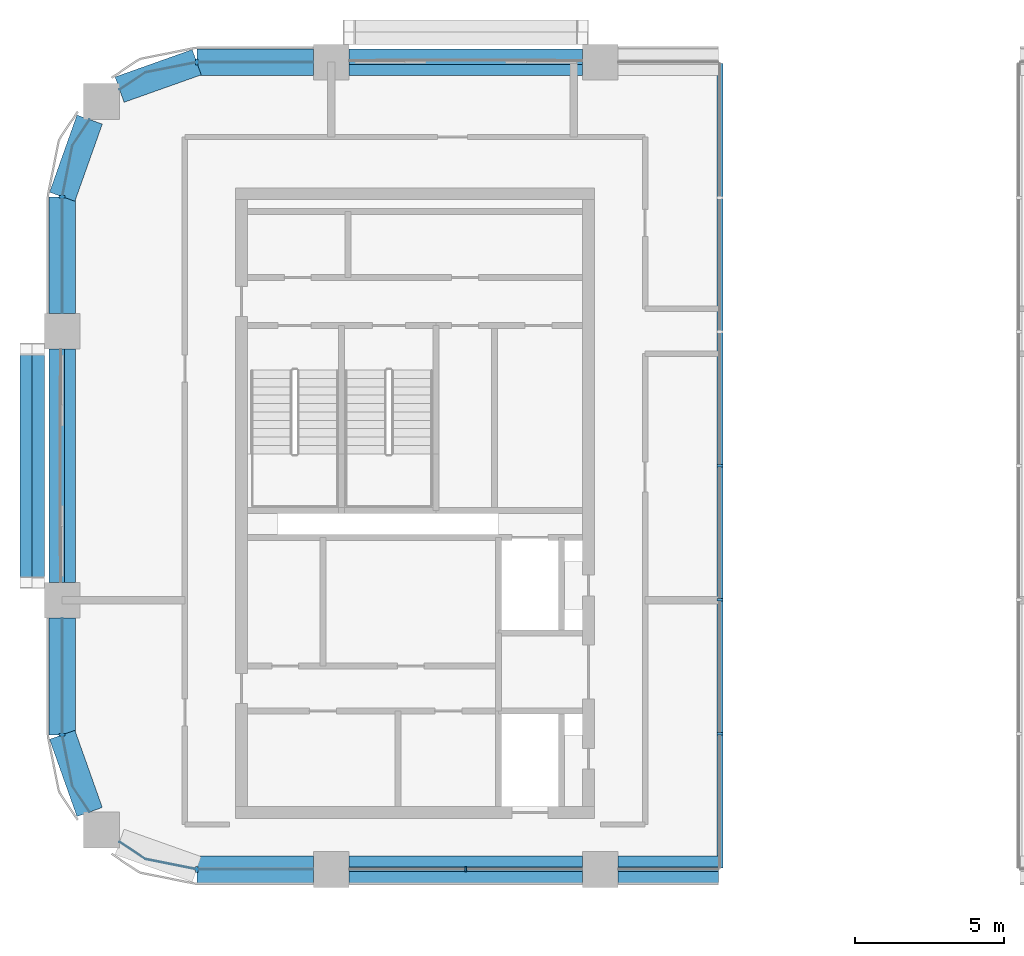
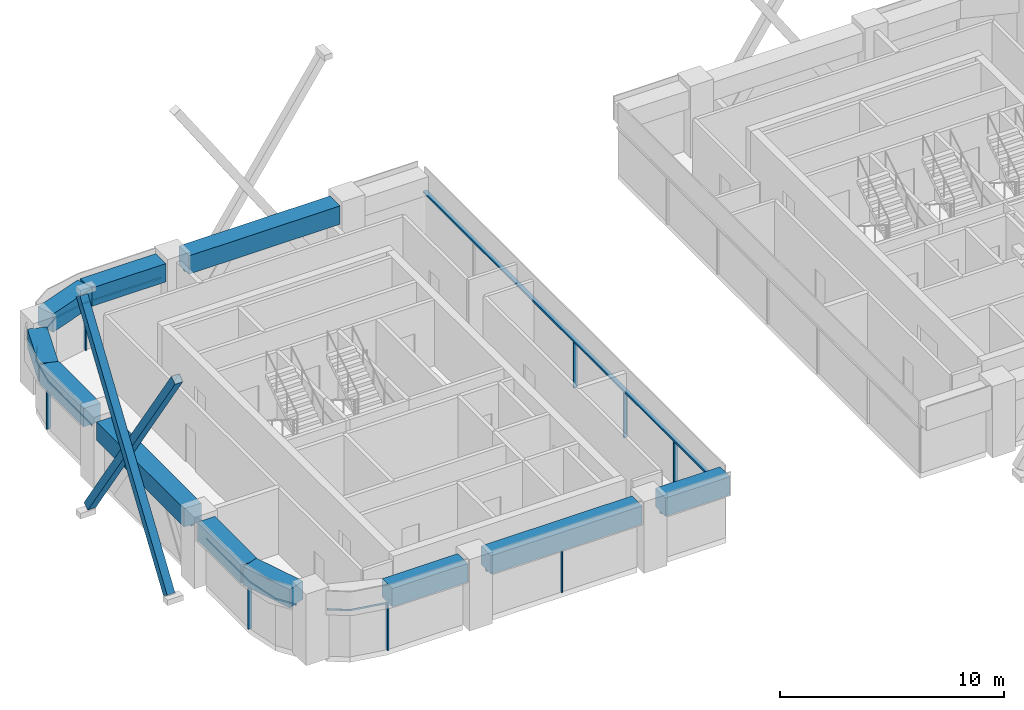
# One storey, part 2 of 14: 19 members, 11 beams, 9 elements without a shape of their own.
"""IFC4 building model written with IfcOpenShell, lengths in metres."""

from ifc_helpers import new_model, si_unit, direction, frame, origin, origin_2d, place, context, subcontext, project, spatial, polyline, rectangle, hollow_rectangle, outline, extrude, material, material_profile, profile_set, type_object, element, aggregate, save


model = new_model("IFC4")

# Units and contexts
model_context = context("Model", 3, precision=1e-05, world=origin(), true_north=direction((0.0, 1.0)))
body_context = subcontext(model_context, "Body", "Model", "MODEL_VIEW")
ifc_project = project(units=[si_unit("LENGTHUNIT", "METRE"), si_unit("AREAUNIT", "SQUARE_METRE"), si_unit("VOLUMEUNIT", "CUBIC_METRE"), si_unit("PLANEANGLEUNIT", "RADIAN"), si_unit("MASSUNIT", "GRAM", prefix="KILO")], contexts=[model_context])

# Site, building, storey
site_placement = place(None, origin())
site = spatial("IfcSite", under=ifc_project, at=site_placement, CompositionType="ELEMENT")
building_placement = place(site_placement, origin())
building = spatial("IfcBuilding", under=site, at=building_placement, Name="Tessera Arch", CompositionType="ELEMENT")
storey_placement = place(building_placement, frame((0.0, 0.0, 215.0)))
storey = spatial("IfcBuildingStorey", under=building, at=storey_placement, Name="L51", CompositionType="ELEMENT", Elevation=215.0)

# Members
ifc_material_1 = material(Name="Steel A500 Gr C", Category="steel")
ifc_material_profile_1 = material_profile(ifc_material_1, hollow_rectangle(XDim=0.406494140625, YDim=0.406494140625, WallThickness=0.0146484375, at=origin_2d()), Name="HSS16x16x5/8")
ifc_profile_set_1 = profile_set([ifc_material_profile_1], Name="Steel A500 Gr C")
member_type_1 = type_object("IfcMemberType", Name="Brace HSS16x16x5/8 Steel A500 Gr C", PredefinedType="BRACE", material=ifc_profile_set_1)
for number, where, z_axis, x_axis, name in (
    (1, (-0.80322265625, 44.39990234375, -0.800048828125), (0.0, -0.557984732827, 0.829851214334), (1.0, 0.0, 0.0), "Brace W0.27-1 A L51-L53"),
    (2, (-1.209716796875, 36.60009765625, -0.800048828125), (0.0, 0.557984732827, 0.829851214334), (-1.0, 0.0, 0.0), "Brace W0.27-1 B L51-L53"),
):
    element("IfcMember", number, at=place(storey_placement, frame(where, z_axis=z_axis, x_axis=x_axis)), inside=storey, type_object=member_type_1, Name=name, PredefinedType="BRACE", context=body_context, shape_type="SweptSolid", body=[
        extrude(hollow_rectangle(XDim=0.406494140625, YDim=0.406494140625, WallThickness=0.0146484375, at=origin_2d()), origin(), (0.0, 0.0, 1.0), 13.978515625),
    ])

# Curtain wall, members
ifc_material_2 = material(Name="CW1 curtain wall")
curtain_wall_type_1 = type_object("IfcCurtainWallType", Name="CW1 curtain wall", PredefinedType="NOTDEFINED", material=ifc_material_2)
curtain_wall_1_placement = place(storey_placement, origin())
curtain_wall_1 = element("IfcCurtainWall", 3, at=curtain_wall_1_placement, inside=storey, type_object=curtain_wall_type_1, Name="CW1 curtain wall S27.0/0 L51", PredefinedType="NOTDEFINED")
ifc_material_3 = material(Name="Anodised aluminium pale metal", Category="aluminium")
ifc_material_profile_2 = material_profile(ifc_material_3, rectangle(XDim=0.159912109375, YDim=0.06005859375, at=origin_2d()), Name="AL 60x160")
ifc_profile_set_2 = profile_set([ifc_material_profile_2], Name="Anodised aluminium pale metal")
member_type_2 = type_object("IfcMemberType", Name="CW1 mullion", PredefinedType="MULLION", material=ifc_profile_set_2)
member_1_placement = place(storey_placement, frame((13.5, 27.0, 0.0), z_axis=(0.0, 0.0, 1.0), x_axis=(0.0, 1.0, 0.0)))
member_1 = element("IfcMember", 4, at=member_1_placement, type_object=member_type_2, Name="CW1 mullion S27.0/0 1", PredefinedType="MULLION", context=body_context, shape_type="SweptSolid", body=[
    extrude(rectangle(XDim=0.159912109375, YDim=0.06005859375, at=origin_2d()), origin(), (0.0, 0.0, 1.0), 2.5),
])
ifc_material_4 = material(Name="Anodised aluminium pale metal", Category="aluminium")
ifc_material_profile_3 = material_profile(ifc_material_4, rectangle(XDim=0.159912109375, YDim=0.10009765625, at=origin_2d()), Name="AL 160x100")
ifc_profile_set_3 = profile_set([ifc_material_profile_3], Name="Anodised aluminium pale metal")
member_type_3 = type_object("IfcMemberType", Name="CW1 transom", PredefinedType="USERDEFINED", material=ifc_profile_set_3)
member_2_placement = place(storey_placement, frame((9.60009765625, 27.0, 2.550048828125), z_axis=(1.0, 0.0, 0.0), x_axis=(0.0, 1.0, 0.0)))
member_2 = element("IfcMember", 5, at=member_2_placement, type_object=member_type_3, Name="CW1 transom S27.0/0 1.1", ObjectType="TRANSOM", PredefinedType="USERDEFINED", context=body_context, shape_type="SweptSolid", body=[
    extrude(rectangle(XDim=0.159912109375, YDim=0.10009765625, at=origin_2d()), origin(), (0.0, 0.0, 1.0), 7.7998046875),
])
aggregate(curtain_wall_1, [member_1, member_2])

# Curtain wall, member
curtain_wall_2_placement = place(storey_placement, origin())
curtain_wall_2 = element("IfcCurtainWall", 6, at=curtain_wall_2_placement, inside=storey, type_object=curtain_wall_type_1, Name="CW1 curtain wall S27.0/1 L51", PredefinedType="NOTDEFINED")
member_3_placement = place(storey_placement, frame((18.60009765625, 27.0, 2.550048828125), z_axis=(1.0, 0.0, 0.0), x_axis=(0.0, 1.0, 0.0)))
member_3 = element("IfcMember", 7, at=member_3_placement, type_object=member_type_3, Name="CW1 transom S27.0/1 1.1", ObjectType="TRANSOM", PredefinedType="USERDEFINED", context=body_context, shape_type="SweptSolid", body=[
    extrude(rectangle(XDim=0.159912109375, YDim=0.10009765625, at=origin_2d()), origin(), (0.0, 0.0, 1.0), 3.349853515625),
])
aggregate(curtain_wall_2, [member_3])

ifc_material_5 = material(Name="CW2 curtain wall")
curtain_wall_type_2 = type_object("IfcCurtainWallType", Name="CW2 curtain wall", PredefinedType="NOTDEFINED", material=ifc_material_5)
curtain_wall_3_placement = place(storey_placement, origin())
curtain_wall_3 = element("IfcCurtainWall", 8, at=curtain_wall_3_placement, inside=storey, type_object=curtain_wall_type_2, Name="CW2 curtain wall N54.0/2 L51", PredefinedType="NOTDEFINED")
ifc_material_6 = material(Name="Anodised aluminium pale metal", Category="aluminium")
ifc_material_profile_4 = material_profile(ifc_material_6, rectangle(XDim=0.199951171875, YDim=0.080078125, at=origin_2d()), Name="AL 80x200")
ifc_profile_set_4 = profile_set([ifc_material_profile_4], Name="Anodised aluminium pale metal")
member_type_4 = type_object("IfcMemberType", Name="CW2 mullion", PredefinedType="MULLION", material=ifc_profile_set_4)
member_4_placement = place(storey_placement, frame((4.5, 54.0, 0.0), z_axis=(0.0, 0.0, 1.0), x_axis=(0.0, -1.0, 0.0)))
member_4 = element("IfcMember", 9, at=member_4_placement, type_object=member_type_4, Name="CW2 mullion N54.0/2 1", PredefinedType="MULLION", context=body_context, shape_type="SweptSolid", body=[
    extrude(rectangle(XDim=0.199951171875, YDim=0.080078125, at=origin_2d()), origin(), (0.0, 0.0, 1.0), 2.5),
])

curtain_wall_4_placement = place(storey_placement, origin())
curtain_wall_4 = element("IfcCurtainWall", 10, at=curtain_wall_4_placement, inside=storey, type_object=curtain_wall_type_2, Name="CW2 curtain wall W0.27/0 L51", PredefinedType="NOTDEFINED")
member_5_placement = place(storey_placement, frame((0.0, 49.5, 0.0), z_axis=(0.0, 0.0, 1.0), x_axis=(1.0, 0.0, 0.0)))
member_5 = element("IfcMember", 11, at=member_5_placement, type_object=member_type_4, Name="CW2 mullion W0.27/0 1", PredefinedType="MULLION", context=body_context, shape_type="SweptSolid", body=[
    extrude(rectangle(XDim=0.199951171875, YDim=0.080078125, at=origin_2d()), origin(), (0.0, 0.0, 1.0), 2.5),
])

curtain_wall_5_placement = place(storey_placement, origin())
curtain_wall_5 = element("IfcCurtainWall", 12, at=curtain_wall_5_placement, inside=storey, type_object=curtain_wall_type_2, Name="CW2 curtain wall W0.27/2 L51", PredefinedType="NOTDEFINED")
member_6_placement = place(storey_placement, frame((0.0, 31.5, 0.0), z_axis=(0.0, 0.0, 1.0), x_axis=(1.0, 0.0, 0.0)))
member_6 = element("IfcMember", 13, at=member_6_placement, type_object=member_type_4, Name="CW2 mullion W0.27/2 1", PredefinedType="MULLION", context=body_context, shape_type="SweptSolid", body=[
    extrude(rectangle(XDim=0.199951171875, YDim=0.080078125, at=origin_2d()), origin(), (0.0, 0.0, 1.0), 2.5),
])

curtain_wall_6_placement = place(storey_placement, origin())
curtain_wall_6 = element("IfcCurtainWall", 14, at=curtain_wall_6_placement, inside=storey, type_object=curtain_wall_type_2, Name="CW2 curtain wall S27.0/2 L51", PredefinedType="NOTDEFINED")
member_7_placement = place(storey_placement, frame((4.5, 27.0, 0.0), z_axis=(0.0, 0.0, 1.0), x_axis=(0.0, 1.0, 0.0)))
member_7 = element("IfcMember", 15, at=member_7_placement, type_object=member_type_4, Name="CW2 mullion S27.0/2 1", PredefinedType="MULLION", context=body_context, shape_type="SweptSolid", body=[
    extrude(rectangle(XDim=0.199951171875, YDim=0.080078125, at=origin_2d()), origin(), (0.0, 0.0, 1.0), 2.5),
])

# Member
ifc_material_7 = material(Name="Anodised aluminium pale metal", Category="aluminium")
ifc_material_profile_5 = material_profile(ifc_material_7, rectangle(XDim=0.199951171875, YDim=0.10009765625, at=origin_2d()), Name="AL 200x100")
ifc_profile_set_5 = profile_set([ifc_material_profile_5], Name="Anodised aluminium pale metal")
member_type_5 = type_object("IfcMemberType", Name="CW2 transom", PredefinedType="USERDEFINED", material=ifc_profile_set_5)
member_8_placement = place(storey_placement, frame((0.0, 0.0, 2.5)))
member_8 = element("IfcMember", 16, at=member_8_placement, type_object=member_type_5, Name="CW2 transom N54.0/2 1", ObjectType="TRANSOM", PredefinedType="USERDEFINED", context=body_context, shape_type="SweptSolid", body=[
    extrude(outline(polyline([(4.5009765625, 53.989990234375), (8.39990234375, 53.989990234375), (8.39990234375, 54.010009765625), (4.4990234375, 54.010009765625), (2.77392578125, 53.6669921875), (1.912353515625, 53.09130859375), (1.923583984375, 53.07470703125), (2.78173828125, 53.648193359375), (4.5009765625, 53.989990234375)])), origin(), (0.0, 0.0, 1.0), 0.10009765625),
])

aggregate(curtain_wall_3, [member_4, member_8])

member_9_placement = place(storey_placement, frame((0.0, 0.0, 2.5)))
member_9 = element("IfcMember", 17, at=member_9_placement, type_object=member_type_5, Name="CW2 transom W0.27/0 1", ObjectType="TRANSOM", PredefinedType="USERDEFINED", context=body_context, shape_type="SweptSolid", body=[
    extrude(outline(polyline([(0.351806640625, 51.21826171875), (0.92529296875, 52.076416015625), (0.90869140625, 52.087646484375), (0.3330078125, 51.22607421875), (-0.010009765625, 49.5009765625), (-0.010009765625, 45.60009765625), (0.010009765625, 45.60009765625), (0.010009765625, 49.4990234375), (0.351806640625, 51.21826171875)])), origin(), (0.0, 0.0, 1.0), 0.10009765625),
])

aggregate(curtain_wall_4, [member_5, member_9])

member_10_placement = place(storey_placement, frame((0.0, 0.0, 2.5)))
member_10 = element("IfcMember", 18, at=member_10_placement, type_object=member_type_5, Name="CW2 transom W0.27/2 1", ObjectType="TRANSOM", PredefinedType="USERDEFINED", context=body_context, shape_type="SweptSolid", body=[
    extrude(outline(polyline([(0.010009765625, 31.5009765625), (0.010009765625, 35.39990234375), (-0.010009765625, 35.39990234375), (-0.010009765625, 31.4990234375), (0.3330078125, 29.77392578125), (0.90869140625, 28.912353515625), (0.92529296875, 28.923583984375), (0.351806640625, 29.78173828125), (0.010009765625, 31.5009765625)])), origin(), (0.0, 0.0, 1.0), 0.10009765625),
])

aggregate(curtain_wall_5, [member_6, member_10])

member_11_placement = place(storey_placement, frame((0.0, 0.0, 2.5)))
member_11 = element("IfcMember", 19, at=member_11_placement, type_object=member_type_5, Name="CW2 transom S27.0/2 1", ObjectType="TRANSOM", PredefinedType="USERDEFINED", context=body_context, shape_type="SweptSolid", body=[
    extrude(outline(polyline([(2.78173828125, 27.351806640625), (1.923583984375, 27.92529296875), (1.912353515625, 27.90869140625), (2.77392578125, 27.3330078125), (4.4990234375, 26.989990234375), (8.39990234375, 26.989990234375), (8.39990234375, 27.010009765625), (4.5009765625, 27.010009765625), (2.78173828125, 27.351806640625)])), origin(), (0.0, 0.0, 1.0), 0.10009765625),
])

aggregate(curtain_wall_6, [member_7, member_11])

# Curtain wall, member
ifc_material_8 = material(Name="CW3 curtain wall")
curtain_wall_type_3 = type_object("IfcCurtainWallType", Name="CW3 curtain wall", PredefinedType="NOTDEFINED", material=ifc_material_8)
curtain_wall_7_placement = place(storey_placement, origin())
curtain_wall_7 = element("IfcCurtainWall", 20, at=curtain_wall_7_placement, inside=storey, type_object=curtain_wall_type_3, Name="CW3 curtain wall N54.0/1 L51", PredefinedType="NOTDEFINED")
ifc_material_9 = material(Name="Anodised aluminium pale metal", Category="aluminium")
ifc_material_profile_6 = material_profile(ifc_material_9, rectangle(XDim=0.139892578125, YDim=0.10009765625, at=origin_2d()), Name="AL 140x100")
ifc_profile_set_6 = profile_set([ifc_material_profile_6], Name="Anodised aluminium pale metal")
member_type_6 = type_object("IfcMemberType", Name="CW3 transom", PredefinedType="USERDEFINED", material=ifc_profile_set_6)
member_12_placement = place(storey_placement, frame((17.39990234375, 54.0, 2.550048828125), z_axis=(-1.0, 0.0, 0.0), x_axis=(0.0, -1.0, 0.0)))
member_12 = element("IfcMember", 21, at=member_12_placement, type_object=member_type_6, Name="CW3 transom N54.0/1 1.1", ObjectType="TRANSOM", PredefinedType="USERDEFINED", context=body_context, shape_type="SweptSolid", body=[
    extrude(rectangle(XDim=0.139892578125, YDim=0.10009765625, at=origin_2d()), origin(), (0.0, 0.0, 1.0), 7.7998046875),
])
aggregate(curtain_wall_7, [member_12])

curtain_wall_8_placement = place(storey_placement, origin())
curtain_wall_8 = element("IfcCurtainWall", 22, at=curtain_wall_8_placement, inside=storey, type_object=curtain_wall_type_3, Name="CW3 curtain wall W0.27/1 L51", PredefinedType="NOTDEFINED")
member_13_placement = place(storey_placement, frame((0.0, 44.39990234375, 2.550048828125), z_axis=(0.0, -1.0, 0.0), x_axis=(1.0, 0.0, 0.0)))
member_13 = element("IfcMember", 23, at=member_13_placement, type_object=member_type_6, Name="CW3 transom W0.27/1 1.1", ObjectType="TRANSOM", PredefinedType="USERDEFINED", context=body_context, shape_type="SweptSolid", body=[
    extrude(rectangle(XDim=0.139892578125, YDim=0.10009765625, at=origin_2d()), origin(), (0.0, 0.0, 1.0), 7.7998046875),
])
aggregate(curtain_wall_8, [member_13])

# Curtain wall, members
ifc_material_10 = material(Name="CW5 curtain wall")
curtain_wall_type_4 = type_object("IfcCurtainWallType", Name="CW5 curtain wall", PredefinedType="NOTDEFINED", material=ifc_material_10)
curtain_wall_9_placement = place(storey_placement, origin())
curtain_wall_9 = element("IfcCurtainWall", 24, at=curtain_wall_9_placement, inside=storey, type_object=curtain_wall_type_4, Name="CW5 curtain wall E22.27/0 L51", PredefinedType="NOTDEFINED")
ifc_material_11 = material(Name="Anodised aluminium pale metal", Category="aluminium")
ifc_material_profile_7 = material_profile(ifc_material_11, rectangle(XDim=0.199951171875, YDim=0.080078125, at=origin_2d()), Name="AL 80x200")
ifc_profile_set_7 = profile_set([ifc_material_profile_7], Name="Anodised aluminium pale metal")
member_type_7 = type_object("IfcMemberType", Name="CW5 mullion", PredefinedType="MULLION", material=ifc_profile_set_7)
member_14_placement = place(storey_placement, frame((22.0, 31.533447265625, 0.0), z_axis=(0.0, 0.0, 1.0), x_axis=(-1.0, 0.0, 0.0)))
member_14 = element("IfcMember", 25, at=member_14_placement, type_object=member_type_7, Name="CW5 mullion E22.27/0 1", PredefinedType="MULLION", context=body_context, shape_type="SweptSolid", body=[
    extrude(rectangle(XDim=0.199951171875, YDim=0.080078125, at=origin_2d()), origin(), (0.0, 0.0, 1.0), 2.5),
])
member_15_placement = place(storey_placement, frame((22.0, 36.0166015625, 0.0), z_axis=(0.0, 0.0, 1.0), x_axis=(-1.0, 0.0, 0.0)))
member_15 = element("IfcMember", 26, at=member_15_placement, type_object=member_type_7, Name="CW5 mullion E22.27/0 2", PredefinedType="MULLION", context=body_context, shape_type="SweptSolid", body=[
    extrude(rectangle(XDim=0.199951171875, YDim=0.080078125, at=origin_2d()), origin(), (0.0, 0.0, 1.0), 2.5),
])
member_16_placement = place(storey_placement, frame((22.0, 40.5, 0.0), z_axis=(0.0, 0.0, 1.0), x_axis=(-1.0, 0.0, 0.0)))
member_16 = element("IfcMember", 27, at=member_16_placement, type_object=member_type_7, Name="CW5 mullion E22.27/0 3", PredefinedType="MULLION", context=body_context, shape_type="SweptSolid", body=[
    extrude(rectangle(XDim=0.199951171875, YDim=0.080078125, at=origin_2d()), origin(), (0.0, 0.0, 1.0), 2.5),
])
ifc_material_12 = material(Name="Anodised aluminium pale metal", Category="aluminium")
ifc_material_profile_8 = material_profile(ifc_material_12, rectangle(XDim=0.199951171875, YDim=0.10009765625, at=origin_2d()), Name="AL 200x100")
ifc_profile_set_8 = profile_set([ifc_material_profile_8], Name="Anodised aluminium pale metal")
member_type_8 = type_object("IfcMemberType", Name="CW5 transom", PredefinedType="USERDEFINED", material=ifc_profile_set_8)
member_17_placement = place(storey_placement, frame((22.0, 27.050048828125, 2.550048828125), z_axis=(0.0, 1.0, 0.0), x_axis=(-1.0, 0.0, 0.0)))
member_17 = element("IfcMember", 28, at=member_17_placement, type_object=member_type_8, Name="CW5 transom E22.27/0 1.1", ObjectType="TRANSOM", PredefinedType="USERDEFINED", context=body_context, shape_type="SweptSolid", body=[
    extrude(rectangle(XDim=0.199951171875, YDim=0.10009765625, at=origin_2d()), origin(), (0.0, 0.0, 1.0), 26.89990234375),
])
aggregate(curtain_wall_9, [member_14, member_15, member_16, member_17])

# Beams
ifc_material_13 = material(Name="Concrete C60/75", Category="concrete")
ifc_material_profile_9 = material_profile(ifc_material_13, rectangle(XDim=0.89990234375, YDim=1.0, at=origin_2d()), Name="RC spandrel beam 900 x 1000 Concrete C60/75")
ifc_profile_set_9 = profile_set([ifc_material_profile_9], Name="Concrete C60/75")
beam_type = type_object("IfcBeamType", Name="RC spandrel beam 900 x 1000 Concrete C60/75", PredefinedType="BEAM", material=ifc_profile_set_9)
beam_1_placement = place(storey_placement, frame((9.60009765625, 27.0, 3.10009765625), z_axis=(1.0, 0.0, 0.0), x_axis=(0.0, 1.0, 0.0)))
element("IfcBeam", 29, at=beam_1_placement, inside=storey, type_object=beam_type, Name="Spandrel beam L51 S27.0/0", PredefinedType="BEAM", context=body_context, shape_type="SweptSolid", body=[
    extrude(rectangle(XDim=0.89990234375, YDim=1.0, at=origin_2d()), origin(), (0.0, 0.0, 1.0), 7.7998046875),
])
beam_2_placement = place(storey_placement, frame((18.60009765625, 27.0, 3.10009765625), z_axis=(1.0, 0.0, 0.0), x_axis=(0.0, 1.0, 0.0)))
element("IfcBeam", 30, at=beam_2_placement, inside=storey, type_object=beam_type, Name="Spandrel beam L51 S27.0/1", PredefinedType="BEAM", context=body_context, shape_type="SweptSolid", body=[
    extrude(rectangle(XDim=0.89990234375, YDim=1.0, at=origin_2d()), origin(), (0.0, 0.0, 1.0), 3.349853515625),
])
beam_3_placement = place(storey_placement, frame((17.39990234375, 54.0, 3.10009765625), z_axis=(-1.0, 0.0, 0.0), x_axis=(0.0, -1.0, 0.0)))
element("IfcBeam", 31, at=beam_3_placement, inside=storey, type_object=beam_type, Name="Spandrel beam L51 N54.0/1", PredefinedType="BEAM", context=body_context, shape_type="SweptSolid", body=[
    extrude(rectangle(XDim=0.89990234375, YDim=1.0, at=origin_2d()), origin(), (0.0, 0.0, 1.0), 7.7998046875),
])
beam_4_placement = place(storey_placement, frame((8.39990234375, 54.0, 3.10009765625), z_axis=(-1.0, 0.0, 0.0), x_axis=(0.0, -1.0, 0.0)))
element("IfcBeam", 32, at=beam_4_placement, inside=storey, type_object=beam_type, Name="Spandrel beam L51 N54.0/2.1", PredefinedType="BEAM", context=body_context, shape_type="SweptSolid", body=[
    extrude(rectangle(XDim=0.89990234375, YDim=1.0, at=origin_2d()), origin(), (0.0, 0.0, 1.0), 3.89990234375),
])
for number, where, z_axis, x_axis, name in (
    (33, (4.5, 54.0, 3.10009765625), (-0.942337127159, -0.334665114373, 0.0), (0.334665114373, -0.942337127159, 0.0), "Spandrel beam L51 N54.0/2.2"),
    (34, (0.9169921875, 52.08203125, 3.10009765625), (-0.334665114373, -0.942337127159, 0.0), (0.942337127159, -0.334665114373, 0.0), "Spandrel beam L51 W0.27/0.1"),
):
    element("IfcBeam", number, at=place(storey_placement, frame(where, z_axis=z_axis, x_axis=x_axis)), inside=storey, type_object=beam_type, Name=name, PredefinedType="BEAM", context=body_context, shape_type="SweptSolid", body=[
        extrude(rectangle(XDim=0.89990234375, YDim=1.0, at=origin_2d()), origin(), (0.0, 0.0, 1.0), 2.739990234375),
    ])
beam_5_placement = place(storey_placement, frame((0.0, 49.5, 3.10009765625), z_axis=(0.0, -1.0, 0.0), x_axis=(1.0, 0.0, 0.0)))
element("IfcBeam", 35, at=beam_5_placement, inside=storey, type_object=beam_type, Name="Spandrel beam L51 W0.27/0.2", PredefinedType="BEAM", context=body_context, shape_type="SweptSolid", body=[
    extrude(rectangle(XDim=0.89990234375, YDim=1.0, at=origin_2d()), origin(), (0.0, 0.0, 1.0), 3.89990234375),
])
beam_6_placement = place(storey_placement, frame((0.0, 44.39990234375, 3.10009765625), z_axis=(0.0, -1.0, 0.0), x_axis=(1.0, 0.0, 0.0)))
element("IfcBeam", 36, at=beam_6_placement, inside=storey, type_object=beam_type, Name="Spandrel beam L51 W0.27/1", PredefinedType="BEAM", context=body_context, shape_type="SweptSolid", body=[
    extrude(rectangle(XDim=0.89990234375, YDim=1.0, at=origin_2d()), origin(), (0.0, 0.0, 1.0), 7.7998046875),
])
beam_7_placement = place(storey_placement, frame((0.0, 35.39990234375, 3.10009765625), z_axis=(0.0, -1.0, 0.0), x_axis=(1.0, 0.0, 0.0)))
element("IfcBeam", 37, at=beam_7_placement, inside=storey, type_object=beam_type, Name="Spandrel beam L51 W0.27/2.1", PredefinedType="BEAM", context=body_context, shape_type="SweptSolid", body=[
    extrude(rectangle(XDim=0.89990234375, YDim=1.0, at=origin_2d()), origin(), (0.0, 0.0, 1.0), 3.89990234375),
])
beam_8_placement = place(storey_placement, frame((0.0, 31.5, 3.10009765625), z_axis=(0.334665114373, -0.942337127159, 0.0), x_axis=(0.942337127159, 0.334665114373, 0.0)))
element("IfcBeam", 38, at=beam_8_placement, inside=storey, type_object=beam_type, Name="Spandrel beam L51 W0.27/2.2", PredefinedType="BEAM", context=body_context, shape_type="SweptSolid", body=[
    extrude(rectangle(XDim=0.89990234375, YDim=1.0, at=origin_2d()), origin(), (0.0, 0.0, 1.0), 2.739990234375),
])
beam_9_placement = place(storey_placement, frame((4.5, 27.0, 3.10009765625), z_axis=(1.0, 0.0, 0.0), x_axis=(0.0, 1.0, 0.0)))
element("IfcBeam", 39, at=beam_9_placement, inside=storey, type_object=beam_type, Name="Spandrel beam L51 S27.0/2.2", PredefinedType="BEAM", context=body_context, shape_type="SweptSolid", body=[
    extrude(rectangle(XDim=0.89990234375, YDim=1.0, at=origin_2d()), origin(), (0.0, 0.0, 1.0), 3.89990234375),
])

save(model, "model.ifc")
